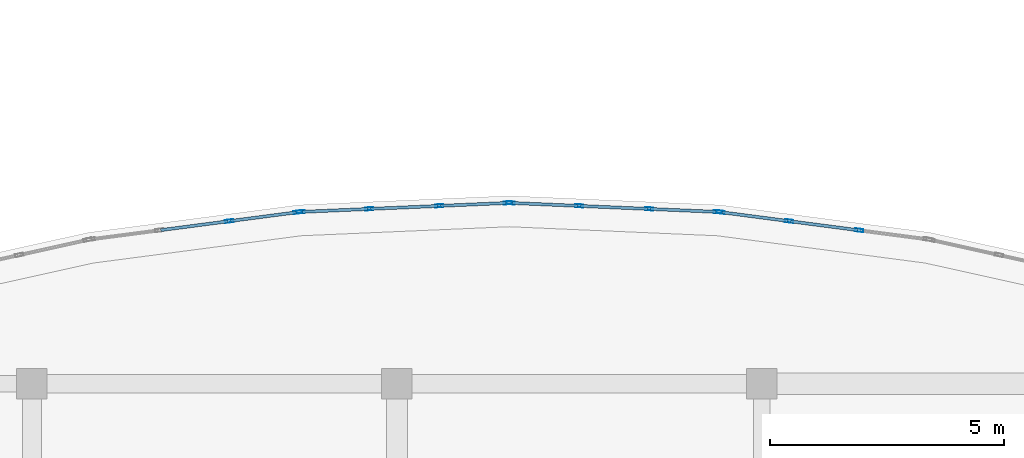
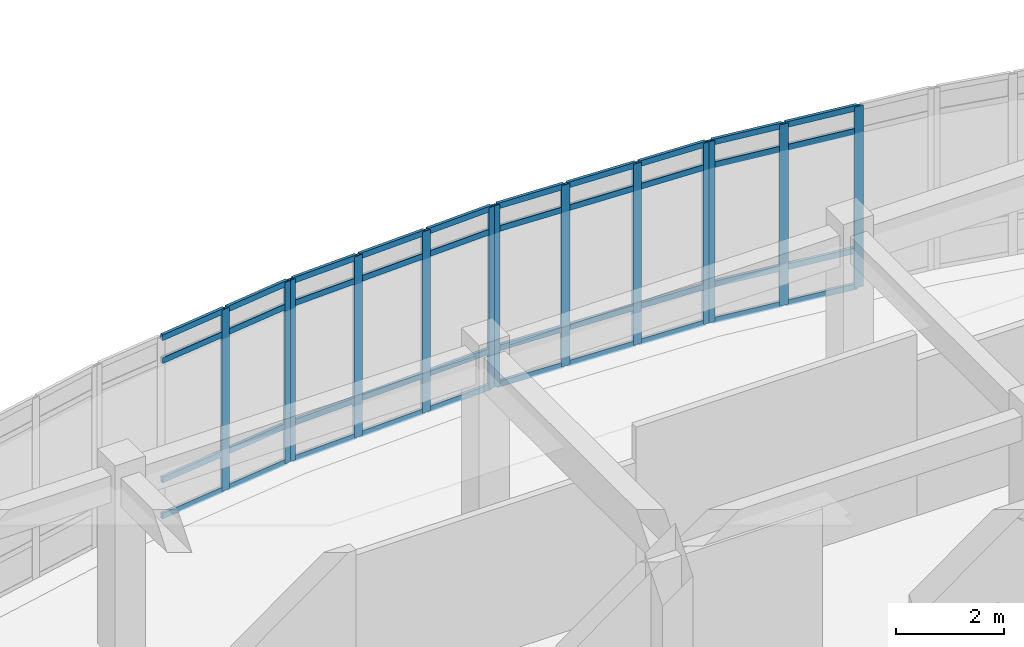
# One storey, part 47 of 142: 53 members, 4 elements without a shape of their own.
"""IFC4 building model written with IfcOpenShell, lengths in metres."""

import ifcopenshell
import ifcopenshell.guid

model = None  # the IFC model being written
_history = None  # IfcOwnerHistory: only IFC2X3 demands one
_inside = {}  # id of a spatial element -> (the spatial element, [elements in it])
_under = {}  # id of a project, library or spatial element -> (it, [spatial elements below it])
_declared = {}  # id of a project -> (the project, [libraries it declares])
_typed = {}  # id of a type object -> (the type object, [elements of that type])
_made_of = {}  # id of a material, layer set ... -> (it, [elements and type objects made of it])


def new_model(schema):
    """Start an empty IFC model of exactly this schema.

    Asked for "IFC4X3", IfcOpenShell would pick the latest addendum, in which some entities
    have other attributes; the version numbers below select the first issue.
    IFC2X3 requires an IfcOwnerHistory on every rooted entity: one is made here for all.
    """
    global model, _history
    if schema == "IFC4X3":
        model = ifcopenshell.file(schema_version=(4, 3, 0, 0))
    else:
        model = ifcopenshell.file(schema=schema)
    _inside.clear()
    _under.clear()
    _declared.clear()
    _typed.clear()
    _made_of.clear()
    _history = None
    if model.schema == "IFC2X3":
        org = make("IfcOrganization", Name="unknown")
        user = make(
            "IfcPersonAndOrganization",
            ThePerson=make("IfcPerson", FamilyName="unknown"),
            TheOrganization=org,
        )
        app = make(
            "IfcApplication",
            ApplicationDeveloper=org,
            Version="unknown",
            ApplicationFullName="unknown",
            ApplicationIdentifier="unknown",
        )
        _history = make(
            "IfcOwnerHistory",
            OwningUser=user,
            OwningApplication=app,
            ChangeAction="ADDED",
            CreationDate=0,
        )
    return model


def make(cls, **values):
    """One entity of the class cls with the attributes given. An attribute that is None is left unset."""
    return model.create_entity(
        cls, **{name: value for name, value in values.items() if value is not None}
    )


def rooted(cls, **values):
    """An entity with a GlobalId (a new one), such as an element, a storey or a relation."""
    return make(cls, GlobalId=ifcopenshell.guid.new(), OwnerHistory=_history, **values)


def si_unit(unit_type, name, prefix=None):
    """IfcSIUnit, for example si_unit("LENGTHUNIT", "METRE", prefix="MILLI")."""
    return make("IfcSIUnit", UnitType=unit_type, Prefix=prefix, Name=name)


def assignment(units):
    """IfcUnitAssignment: the units of a project."""
    return None if units is None else make("IfcUnitAssignment", Units=units)


def point(xyz):
    """IfcCartesianPoint."""
    return None if xyz is None else make("IfcCartesianPoint", Coordinates=xyz)


def direction(xyz):
    """IfcDirection."""
    return None if xyz is None else make("IfcDirection", DirectionRatios=xyz)


def frame(location, z_axis=None, x_axis=None):
    """IfcAxis2Placement3D, a coordinate frame: its origin and axes. An axis left out is left unset."""
    return make(
        "IfcAxis2Placement3D",
        Location=point(location),
        Axis=direction(z_axis),
        RefDirection=direction(x_axis),
    )


def frame_2d(location, x_axis=None):
    """IfcAxis2Placement2D, a coordinate frame in the plane: its origin and x axis."""
    return make(
        "IfcAxis2Placement2D", Location=point(location), RefDirection=direction(x_axis)
    )


def origin():
    """The frame at (0, 0, 0) with its axes left unset."""
    return frame((0.0, 0.0, 0.0))


def origin_2d():
    """The frame at (0, 0) in the plane with its x axis left unset."""
    return frame_2d((0.0, 0.0))


def place(relative_to, where):
    """IfcLocalPlacement: puts the frame where relative to a parent placement (None: the world)."""
    return make(
        "IfcLocalPlacement", PlacementRelTo=relative_to, RelativePlacement=where
    )


def context(
    kind, dimensions, precision=None, world=None, true_north=None, identifier=None
):
    """IfcGeometricRepresentationContext, for example the 3D "Model" context."""
    return make(
        "IfcGeometricRepresentationContext",
        ContextIdentifier=identifier,
        ContextType=kind,
        CoordinateSpaceDimension=dimensions,
        Precision=precision,
        WorldCoordinateSystem=world,
        TrueNorth=true_north,
    )


def subcontext(parent, identifier, kind, view, scale=None):
    """IfcGeometricRepresentationSubContext, for example "Body" below "Model"."""
    return make(
        "IfcGeometricRepresentationSubContext",
        ContextIdentifier=identifier,
        ContextType=kind,
        ParentContext=parent,
        TargetScale=scale,
        TargetView=view,
    )


def project(units=None, contexts=None):
    """IfcProject with its units and contexts."""
    return rooted(
        "IfcProject",
        Name="project",
        RepresentationContexts=contexts,
        UnitsInContext=assignment(units),
    )


def spatial(cls, under=None, at=None, **own):
    """A site, building, storey or space (cls), placed at a placement, below another one or the project."""
    s = rooted(cls, ObjectPlacement=at, **own)
    if under is not None:
        _under.setdefault(under.id(), (under, []))[1].append(s)
    return s


def profile(cls, at=None, kind="AREA", **sizes):
    """A parametric profile (cls). Its sizes go by their IFC names, for example OverallWidth=200.0."""
    return make(cls, ProfileType=kind, Position=at, **sizes)


def hollow_rectangle(**sizes):
    """IfcRectangleHollowProfileDef."""
    return profile("IfcRectangleHollowProfileDef", **sizes)


def extrude(swept, where, along, depth):
    """IfcExtrudedAreaSolid: the profile swept, set in the frame where, extruded along a direction by depth."""
    return make(
        "IfcExtrudedAreaSolid",
        SweptArea=swept,
        Position=where,
        ExtrudedDirection=direction(along),
        Depth=depth,
    )


def shape(context_of_items, identifier, shape_type, items):
    """IfcShapeRepresentation: the items that make up one representation, for example the "Body"."""
    return make(
        "IfcShapeRepresentation",
        ContextOfItems=context_of_items,
        RepresentationIdentifier=identifier,
        RepresentationType=shape_type,
        Items=items,
    )


def material(Name=None, Category=None):
    """IfcMaterial."""
    return make("IfcMaterial", Name=Name, Category=Category)


def layer(
    of_material, thickness, ventilated=None, Name=None, Category=None, Priority=None
):
    """IfcMaterialLayer: one layer of a wall or slab, of a material (None: an air gap)."""
    return make(
        "IfcMaterialLayer",
        Material=of_material,
        LayerThickness=thickness,
        IsVentilated=ventilated,
        Name=Name,
        Category=Category,
        Priority=Priority,
    )


def layer_set(layers, Name=None):
    """IfcMaterialLayerSet."""
    return make("IfcMaterialLayerSet", MaterialLayers=layers, LayerSetName=Name)


def material_profile(
    of_material, cross_section, Name=None, Category=None, Priority=None
):
    """IfcMaterialProfile: a cross section and its material."""
    return make(
        "IfcMaterialProfile",
        Name=Name,
        Material=of_material,
        Profile=cross_section,
        Priority=Priority,
        Category=Category,
    )


def profile_set(profiles, Name=None, composite=None):
    """IfcMaterialProfileSet."""
    return make(
        "IfcMaterialProfileSet",
        Name=Name,
        MaterialProfiles=profiles,
        CompositeProfile=composite,
    )


def made_of(thing, what):
    """Note that an element or type object is made of a material, layer set ...; save() writes the relation."""
    if what is not None:
        _made_of.setdefault(what.id(), (what, []))[1].append(thing)
    return thing


def type_object(cls, material=None, **own):
    """A type object (cls), such as IfcWallType, which elements share."""
    return made_of(rooted(cls, **own), material)


def element(
    cls,
    number,
    at=None,
    inside=None,
    cuts=None,
    type_object=None,
    material=None,
    context=None,
    identifier="Body",
    shape_type=None,
    held_by="IfcProductDefinitionShape",
    body=None,
    shapes=None,
    **own,
):
    """One element of the class cls, such as IfcWall. Its Tag is "e" and its number.

    at: its placement. inside: the storey or other place that contains it. cuts: it is an
    opening in that element (IfcRelVoidsElement). A single representation is given by context,
    identifier, shape_type and body (its items); several are given by shapes. held_by: the class
    of the entity that holds the representations. save() writes the other relations.
    """
    e = rooted(cls, Tag="e%d" % number, ObjectPlacement=at, **own)
    if body is not None:
        shapes = [shape(context, identifier, shape_type, body)]
    if shapes is not None:
        e.Representation = make(held_by, Representations=shapes)
    if inside is not None:
        _inside.setdefault(inside.id(), (inside, []))[1].append(e)
    if cuts is not None:
        rooted(
            "IfcRelVoidsElement", RelatingBuildingElement=cuts, RelatedOpeningElement=e
        )
    if type_object is not None:
        _typed.setdefault(type_object.id(), (type_object, []))[1].append(e)
    return made_of(e, material)


def aggregate(whole, parts):
    """IfcRelAggregates: a whole, such as a stair, and the parts it consists of."""
    return rooted("IfcRelAggregates", RelatingObject=whole, RelatedObjects=parts)


def save(model, path):
    """Write the relations noted so far, then the file.

    IfcRelAggregates (storeys below a building ...), IfcRelContainedInSpatialStructure (elements
    in a storey), IfcRelDefinesByType, IfcRelAssociatesMaterial and IfcRelDeclares: one each for
    every whole, place, type object, material and project.
    """
    for whole, parts in _under.values():
        aggregate(whole, parts)
    for where, things in _inside.values():
        rooted(
            "IfcRelContainedInSpatialStructure",
            RelatedElements=things,
            RelatingStructure=where,
        )
    for kind, things in _typed.values():
        rooted("IfcRelDefinesByType", RelatedObjects=things, RelatingType=kind)
    for what, things in _made_of.values():
        rooted("IfcRelAssociatesMaterial", RelatedObjects=things, RelatingMaterial=what)
    for by, libraries in _declared.values():
        rooted("IfcRelDeclares", RelatingContext=by, RelatedDefinitions=libraries)
    model.write(path)


model = new_model("IFC4")

# Units and contexts
model_context = context("Model", 3, precision=1e-05, world=origin(), true_north=direction((0.0, 1.0)))
body_context = subcontext(model_context, "Body", "Model", "MODEL_VIEW")
ifc_project = project(units=[si_unit("LENGTHUNIT", "METRE"), si_unit("AREAUNIT", "SQUARE_METRE"), si_unit("VOLUMEUNIT", "CUBIC_METRE"), si_unit("PLANEANGLEUNIT", "RADIAN"), si_unit("MASSUNIT", "GRAM", prefix="KILO")], contexts=[model_context])

# Site, building, storey
site_placement = place(None, origin())
site = spatial("IfcSite", under=ifc_project, at=site_placement, CompositionType="ELEMENT")
building_placement = place(site_placement, origin())
building = spatial("IfcBuilding", under=site, at=building_placement, Name="Valcora Specialist Clinic", CompositionType="ELEMENT")
storey_placement = place(building_placement, frame((0.0, 0.0, 5.10009765625)))
storey = spatial("IfcBuildingStorey", under=building, at=storey_placement, Name="L01", CompositionType="ELEMENT", Elevation=5.10009765625)

# Curtain wall, members
ifc_material = material(Name="Anodized Bronze Aluminium 6063-T6", Category="aluminium")
ifc_layer = layer(ifc_material, 0.175048828125)
ifc_layer_set = layer_set([ifc_layer], Name="Anodized Bronze Aluminium 6063-T6")
curtain_wall_type = type_object("IfcCurtainWallType", Name="TY-CW-ARC44", PredefinedType="NOTDEFINED", material=ifc_layer_set)
curtain_wall_1_placement = place(storey_placement, origin())
curtain_wall_1 = element("IfcCurtainWall", 1, at=curtain_wall_1_placement, inside=storey, type_object=curtain_wall_type, Name="Curtain wall CW-L01-196", PredefinedType="NOTDEFINED")
ifc_material_profile_1 = material_profile(ifc_material, hollow_rectangle(XDim=0.06494140625, YDim=0.175048828125, WallThickness=0.00390625, at=origin_2d()), Name="AL-MUL-65X175")
ifc_profile_set_1 = profile_set([ifc_material_profile_1], Name="Anodized Bronze Aluminium 6063-T6")
member_type_1 = type_object("IfcMemberType", Name="TY-CWM-65X175", PredefinedType="MULLION", material=ifc_profile_set_1)
member_1_placement = place(storey_placement, frame((81.017333984375, 25.474365234375, 0.0), z_axis=(0.0, 0.0, 1.0), x_axis=(-0.129999492259, 0.991514060421, 0.0)))
member_1 = element("IfcMember", 2, at=member_1_placement, type_object=member_type_1, Name="CW-ARC-44 mullion 3", PredefinedType="MULLION", context=body_context, shape_type="SweptSolid", body=[
    extrude(hollow_rectangle(XDim=0.06494140625, YDim=0.175048828125, WallThickness=0.00390625, at=origin_2d()), origin(), (0.0, 0.0, 1.0), 4.10498046875),
])
member_2_placement = place(storey_placement, frame((82.480712890625, 25.666259765625, 0.0), z_axis=(0.0, 0.0, 1.0), x_axis=(-0.129999492259, 0.991514060421, 0.0)))
member_2 = element("IfcMember", 3, at=member_2_placement, type_object=member_type_1, Name="CW-ARC-44 mullion 4", PredefinedType="MULLION", context=body_context, shape_type="SweptSolid", body=[
    extrude(hollow_rectangle(XDim=0.06494140625, YDim=0.175048828125, WallThickness=0.00390625, at=origin_2d()), origin(), (0.0, 0.0, 1.0), 4.10498046875),
])

curtain_wall_2_placement = place(storey_placement, origin())
curtain_wall_2 = element("IfcCurtainWall", 4, at=curtain_wall_2_placement, inside=storey, type_object=curtain_wall_type, Name="Curtain wall CW-L01-197", PredefinedType="NOTDEFINED")
member_3_placement = place(storey_placement, frame((82.54541015625, 25.671875, 0.0), z_axis=(0.0, 0.0, 1.0), x_axis=(-0.043306780525, 0.999061821291, 0.0)))
member_3 = element("IfcMember", 5, at=member_3_placement, type_object=member_type_1, Name="CW-ARC-44 mullion 1", PredefinedType="MULLION", context=body_context, shape_type="SweptSolid", body=[
    extrude(hollow_rectangle(XDim=0.06494140625, YDim=0.175048828125, WallThickness=0.00390625, at=origin_2d()), origin(), (0.0, 0.0, 1.0), 4.10498046875),
])
member_4_placement = place(storey_placement, frame((84.008544921875, 25.7353515625, 0.0), z_axis=(0.0, 0.0, 1.0), x_axis=(-0.043306780525, 0.999061821291, 0.0)))
member_4 = element("IfcMember", 6, at=member_4_placement, type_object=member_type_1, Name="CW-ARC-44 mullion 2", PredefinedType="MULLION", context=body_context, shape_type="SweptSolid", body=[
    extrude(hollow_rectangle(XDim=0.06494140625, YDim=0.175048828125, WallThickness=0.00390625, at=origin_2d()), origin(), (0.0, 0.0, 1.0), 4.10498046875),
])
member_5_placement = place(storey_placement, frame((85.50439453125, 25.800048828125, 0.0), z_axis=(0.0, 0.0, 1.0), x_axis=(-0.043306780525, 0.999061821291, 0.0)))
member_5 = element("IfcMember", 7, at=member_5_placement, type_object=member_type_1, Name="CW-ARC-44 mullion 3", PredefinedType="MULLION", context=body_context, shape_type="SweptSolid", body=[
    extrude(hollow_rectangle(XDim=0.06494140625, YDim=0.175048828125, WallThickness=0.00390625, at=origin_2d()), origin(), (0.0, 0.0, 1.0), 4.10498046875),
])
member_6_placement = place(storey_placement, frame((86.967529296875, 25.863525390625, 0.0), z_axis=(0.0, 0.0, 1.0), x_axis=(-0.043306780525, 0.999061821291, 0.0)))
member_6 = element("IfcMember", 8, at=member_6_placement, type_object=member_type_1, Name="CW-ARC-44 mullion 4", PredefinedType="MULLION", context=body_context, shape_type="SweptSolid", body=[
    extrude(hollow_rectangle(XDim=0.06494140625, YDim=0.175048828125, WallThickness=0.00390625, at=origin_2d()), origin(), (0.0, 0.0, 1.0), 4.10498046875),
])

curtain_wall_3_placement = place(storey_placement, origin())
curtain_wall_3 = element("IfcCurtainWall", 9, at=curtain_wall_3_placement, inside=storey, type_object=curtain_wall_type, Name="Curtain wall CW-L01-198", PredefinedType="NOTDEFINED")
member_7_placement = place(storey_placement, frame((87.032470703125, 25.863525390625, 0.0), z_axis=(0.0, 0.0, 1.0), x_axis=(0.043306780525, 0.999061821291, 0.0)))
member_7 = element("IfcMember", 10, at=member_7_placement, type_object=member_type_1, Name="CW-ARC-44 mullion 1", PredefinedType="MULLION", context=body_context, shape_type="SweptSolid", body=[
    extrude(hollow_rectangle(XDim=0.06494140625, YDim=0.175048828125, WallThickness=0.00390625, at=origin_2d()), origin(), (0.0, 0.0, 1.0), 4.10498046875),
])
member_8_placement = place(storey_placement, frame((88.49560546875, 25.800048828125, 0.0), z_axis=(0.0, 0.0, 1.0), x_axis=(0.043306780525, 0.999061821291, 0.0)))
member_8 = element("IfcMember", 11, at=member_8_placement, type_object=member_type_1, Name="CW-ARC-44 mullion 2", PredefinedType="MULLION", context=body_context, shape_type="SweptSolid", body=[
    extrude(hollow_rectangle(XDim=0.06494140625, YDim=0.175048828125, WallThickness=0.00390625, at=origin_2d()), origin(), (0.0, 0.0, 1.0), 4.10498046875),
])
member_9_placement = place(storey_placement, frame((89.991455078125, 25.7353515625, 0.0), z_axis=(0.0, 0.0, 1.0), x_axis=(0.043306780525, 0.999061821291, 0.0)))
member_9 = element("IfcMember", 12, at=member_9_placement, type_object=member_type_1, Name="CW-ARC-44 mullion 3", PredefinedType="MULLION", context=body_context, shape_type="SweptSolid", body=[
    extrude(hollow_rectangle(XDim=0.06494140625, YDim=0.175048828125, WallThickness=0.00390625, at=origin_2d()), origin(), (0.0, 0.0, 1.0), 4.10498046875),
])
member_10_placement = place(storey_placement, frame((91.45458984375, 25.671875, 0.0), z_axis=(0.0, 0.0, 1.0), x_axis=(0.043306780525, 0.999061821291, 0.0)))
member_10 = element("IfcMember", 13, at=member_10_placement, type_object=member_type_1, Name="CW-ARC-44 mullion 4", PredefinedType="MULLION", context=body_context, shape_type="SweptSolid", body=[
    extrude(hollow_rectangle(XDim=0.06494140625, YDim=0.175048828125, WallThickness=0.00390625, at=origin_2d()), origin(), (0.0, 0.0, 1.0), 4.10498046875),
])

curtain_wall_4_placement = place(storey_placement, origin())
curtain_wall_4 = element("IfcCurtainWall", 14, at=curtain_wall_4_placement, inside=storey, type_object=curtain_wall_type, Name="Curtain wall CW-L01-199", PredefinedType="NOTDEFINED")
member_11_placement = place(storey_placement, frame((91.519287109375, 25.666259765625, 0.0), z_axis=(0.0, 0.0, 1.0), x_axis=(0.129999492259, 0.991514060421, 0.0)))
member_11 = element("IfcMember", 15, at=member_11_placement, type_object=member_type_1, Name="CW-ARC-44 mullion 1", PredefinedType="MULLION", context=body_context, shape_type="SweptSolid", body=[
    extrude(hollow_rectangle(XDim=0.06494140625, YDim=0.175048828125, WallThickness=0.00390625, at=origin_2d()), origin(), (0.0, 0.0, 1.0), 4.10498046875),
])
member_12_placement = place(storey_placement, frame((92.982666015625, 25.474365234375, 0.0), z_axis=(0.0, 0.0, 1.0), x_axis=(0.129999492259, 0.991514060421, 0.0)))
member_12 = element("IfcMember", 16, at=member_12_placement, type_object=member_type_1, Name="CW-ARC-44 mullion 2", PredefinedType="MULLION", context=body_context, shape_type="SweptSolid", body=[
    extrude(hollow_rectangle(XDim=0.06494140625, YDim=0.175048828125, WallThickness=0.00390625, at=origin_2d()), origin(), (0.0, 0.0, 1.0), 4.10498046875),
])
member_13_placement = place(storey_placement, frame((94.478271484375, 25.2783203125, 0.0), z_axis=(0.0, 0.0, 1.0), x_axis=(0.129999492259, 0.991514060421, 0.0)))
member_13 = element("IfcMember", 17, at=member_13_placement, type_object=member_type_1, Name="CW-ARC-44 mullion 3", PredefinedType="MULLION", context=body_context, shape_type="SweptSolid", body=[
    extrude(hollow_rectangle(XDim=0.06494140625, YDim=0.175048828125, WallThickness=0.00390625, at=origin_2d()), origin(), (0.0, 0.0, 1.0), 4.10498046875),
])

# Member
ifc_material_profile_2 = material_profile(ifc_material, hollow_rectangle(XDim=0.06494140625, YDim=0.1298828125, WallThickness=0.00390625, at=origin_2d()), Name="AL-TRN-65X130")
ifc_profile_set_2 = profile_set([ifc_material_profile_2], Name="Anodized Bronze Aluminium 6063-T6")
member_type_2 = type_object("IfcMemberType", Name="TY-CWT-65X130", PredefinedType="USERDEFINED", material=ifc_profile_set_2)
member_14_placement = place(storey_placement, frame((79.553955078125, 25.282470703125, 0.032470703125), z_axis=(0.99152668223, 0.129903188665, 0.0), x_axis=(-0.129903188665, 0.99152668223, 0.0)))
member_14 = element("IfcMember", 18, at=member_14_placement, type_object=member_type_2, Name="CW-ARC-44 transom 2.1", ObjectType="TRANSOM", PredefinedType="USERDEFINED", context=body_context, shape_type="SweptSolid", body=[
    extrude(hollow_rectangle(XDim=0.06494140625, YDim=0.1298828125, WallThickness=0.00390625, at=origin_2d()), origin(), (0.0, 0.0, 1.0), 1.443359375),
])

member_15_placement = place(storey_placement, frame((79.553955078125, 25.282470703125, 0.849853515625), z_axis=(0.99152668223, 0.129903188665, 0.0), x_axis=(-0.129903188665, 0.99152668223, 0.0)))
member_15 = element("IfcMember", 19, at=member_15_placement, type_object=member_type_2, Name="CW-ARC-44 transom 2.2", ObjectType="TRANSOM", PredefinedType="USERDEFINED", context=body_context, shape_type="SweptSolid", body=[
    extrude(hollow_rectangle(XDim=0.06494140625, YDim=0.1298828125, WallThickness=0.00390625, at=origin_2d()), origin(), (0.0, 0.0, 1.0), 1.443359375),
])

member_16_placement = place(storey_placement, frame((79.553955078125, 25.282470703125, 3.554931640625), z_axis=(0.99152668223, 0.129903188665, 0.0), x_axis=(-0.129903188665, 0.99152668223, 0.0)))
member_16 = element("IfcMember", 20, at=member_16_placement, type_object=member_type_2, Name="CW-ARC-44 transom 2.3", ObjectType="TRANSOM", PredefinedType="USERDEFINED", context=body_context, shape_type="SweptSolid", body=[
    extrude(hollow_rectangle(XDim=0.06494140625, YDim=0.1298828125, WallThickness=0.00390625, at=origin_2d()), origin(), (0.0, 0.0, 1.0), 1.443359375),
])

member_17_placement = place(storey_placement, frame((79.553955078125, 25.282470703125, 4.072509765625), z_axis=(0.99152668223, 0.129903188665, 0.0), x_axis=(-0.129903188665, 0.99152668223, 0.0)))
member_17 = element("IfcMember", 21, at=member_17_placement, type_object=member_type_2, Name="CW-ARC-44 transom 2.4", ObjectType="TRANSOM", PredefinedType="USERDEFINED", context=body_context, shape_type="SweptSolid", body=[
    extrude(hollow_rectangle(XDim=0.06494140625, YDim=0.1298828125, WallThickness=0.00390625, at=origin_2d()), origin(), (0.0, 0.0, 1.0), 1.443359375),
])

member_18_placement = place(storey_placement, frame((81.049560546875, 25.478515625, 0.032470703125), z_axis=(0.991520133728, 0.129953162379, 0.0), x_axis=(-0.129953162379, 0.991520133728, 0.0)))
member_18 = element("IfcMember", 22, at=member_18_placement, type_object=member_type_2, Name="CW-ARC-44 transom 3.1", ObjectType="TRANSOM", PredefinedType="USERDEFINED", context=body_context, shape_type="SweptSolid", body=[
    extrude(hollow_rectangle(XDim=0.06494140625, YDim=0.1298828125, WallThickness=0.00390625, at=origin_2d()), origin(), (0.0, 0.0, 1.0), 1.410888671875),
])

member_19_placement = place(storey_placement, frame((81.049560546875, 25.478515625, 0.849853515625), z_axis=(0.991520133728, 0.129953162379, 0.0), x_axis=(-0.129953162379, 0.991520133728, 0.0)))
member_19 = element("IfcMember", 23, at=member_19_placement, type_object=member_type_2, Name="CW-ARC-44 transom 3.2", ObjectType="TRANSOM", PredefinedType="USERDEFINED", context=body_context, shape_type="SweptSolid", body=[
    extrude(hollow_rectangle(XDim=0.06494140625, YDim=0.1298828125, WallThickness=0.00390625, at=origin_2d()), origin(), (0.0, 0.0, 1.0), 1.410888671875),
])

member_20_placement = place(storey_placement, frame((81.049560546875, 25.478515625, 3.554931640625), z_axis=(0.991520133728, 0.129953162379, 0.0), x_axis=(-0.129953162379, 0.991520133728, 0.0)))
member_20 = element("IfcMember", 24, at=member_20_placement, type_object=member_type_2, Name="CW-ARC-44 transom 3.3", ObjectType="TRANSOM", PredefinedType="USERDEFINED", context=body_context, shape_type="SweptSolid", body=[
    extrude(hollow_rectangle(XDim=0.06494140625, YDim=0.1298828125, WallThickness=0.00390625, at=origin_2d()), origin(), (0.0, 0.0, 1.0), 1.410888671875),
])

member_21_placement = place(storey_placement, frame((81.049560546875, 25.478515625, 4.072509765625), z_axis=(0.991520133728, 0.129953162379, 0.0), x_axis=(-0.129953162379, 0.991520133728, 0.0)))
member_21 = element("IfcMember", 25, at=member_21_placement, type_object=member_type_2, Name="CW-ARC-44 transom 3.4", ObjectType="TRANSOM", PredefinedType="USERDEFINED", context=body_context, shape_type="SweptSolid", body=[
    extrude(hollow_rectangle(XDim=0.06494140625, YDim=0.1298828125, WallThickness=0.00390625, at=origin_2d()), origin(), (0.0, 0.0, 1.0), 1.410888671875),
])

aggregate(curtain_wall_1, [member_1, member_2, member_14, member_15, member_16, member_17, member_18, member_19, member_20, member_21])

member_22_placement = place(storey_placement, frame((82.577880859375, 25.673095703125, 0.032470703125), z_axis=(0.999056487414, 0.043429655266, 0.0), x_axis=(-0.043429655266, 0.999056487414, 0.0)))
member_22 = element("IfcMember", 26, at=member_22_placement, type_object=member_type_2, Name="CW-ARC-44 transom 1.1", ObjectType="TRANSOM", PredefinedType="USERDEFINED", context=body_context, shape_type="SweptSolid", body=[
    extrude(hollow_rectangle(XDim=0.06494140625, YDim=0.1298828125, WallThickness=0.00390625, at=origin_2d()), origin(), (0.0, 0.0, 1.0), 1.399658203125),
])

member_23_placement = place(storey_placement, frame((82.577880859375, 25.673095703125, 0.849853515625), z_axis=(0.999056487414, 0.043429655266, 0.0), x_axis=(-0.043429655266, 0.999056487414, 0.0)))
member_23 = element("IfcMember", 27, at=member_23_placement, type_object=member_type_2, Name="CW-ARC-44 transom 1.2", ObjectType="TRANSOM", PredefinedType="USERDEFINED", context=body_context, shape_type="SweptSolid", body=[
    extrude(hollow_rectangle(XDim=0.06494140625, YDim=0.1298828125, WallThickness=0.00390625, at=origin_2d()), origin(), (0.0, 0.0, 1.0), 1.399658203125),
])

member_24_placement = place(storey_placement, frame((82.577880859375, 25.673095703125, 3.554931640625), z_axis=(0.999056487414, 0.043429655266, 0.0), x_axis=(-0.043429655266, 0.999056487414, 0.0)))
member_24 = element("IfcMember", 28, at=member_24_placement, type_object=member_type_2, Name="CW-ARC-44 transom 1.3", ObjectType="TRANSOM", PredefinedType="USERDEFINED", context=body_context, shape_type="SweptSolid", body=[
    extrude(hollow_rectangle(XDim=0.06494140625, YDim=0.1298828125, WallThickness=0.00390625, at=origin_2d()), origin(), (0.0, 0.0, 1.0), 1.399658203125),
])

member_25_placement = place(storey_placement, frame((82.577880859375, 25.673095703125, 4.072509765625), z_axis=(0.999056487414, 0.043429655266, 0.0), x_axis=(-0.043429655266, 0.999056487414, 0.0)))
member_25 = element("IfcMember", 29, at=member_25_placement, type_object=member_type_2, Name="CW-ARC-44 transom 1.4", ObjectType="TRANSOM", PredefinedType="USERDEFINED", context=body_context, shape_type="SweptSolid", body=[
    extrude(hollow_rectangle(XDim=0.06494140625, YDim=0.1298828125, WallThickness=0.00390625, at=origin_2d()), origin(), (0.0, 0.0, 1.0), 1.399658203125),
])

member_26_placement = place(storey_placement, frame((84.041015625, 25.736572265625, 0.032470703125), z_axis=(0.999062259276, 0.043296675287, 0.0), x_axis=(-0.043296675287, 0.999062259276, 0.0)))
member_26 = element("IfcMember", 30, at=member_26_placement, type_object=member_type_2, Name="CW-ARC-44 transom 2.1", ObjectType="TRANSOM", PredefinedType="USERDEFINED", context=body_context, shape_type="SweptSolid", body=[
    extrude(hollow_rectangle(XDim=0.06494140625, YDim=0.1298828125, WallThickness=0.00390625, at=origin_2d()), origin(), (0.0, 0.0, 1.0), 1.432373046875),
])

member_27_placement = place(storey_placement, frame((84.041015625, 25.736572265625, 0.849853515625), z_axis=(0.999062259276, 0.043296675287, 0.0), x_axis=(-0.043296675287, 0.999062259276, 0.0)))
member_27 = element("IfcMember", 31, at=member_27_placement, type_object=member_type_2, Name="CW-ARC-44 transom 2.2", ObjectType="TRANSOM", PredefinedType="USERDEFINED", context=body_context, shape_type="SweptSolid", body=[
    extrude(hollow_rectangle(XDim=0.06494140625, YDim=0.1298828125, WallThickness=0.00390625, at=origin_2d()), origin(), (0.0, 0.0, 1.0), 1.432373046875),
])

member_28_placement = place(storey_placement, frame((84.041015625, 25.736572265625, 3.554931640625), z_axis=(0.999062259276, 0.043296675287, 0.0), x_axis=(-0.043296675287, 0.999062259276, 0.0)))
member_28 = element("IfcMember", 32, at=member_28_placement, type_object=member_type_2, Name="CW-ARC-44 transom 2.3", ObjectType="TRANSOM", PredefinedType="USERDEFINED", context=body_context, shape_type="SweptSolid", body=[
    extrude(hollow_rectangle(XDim=0.06494140625, YDim=0.1298828125, WallThickness=0.00390625, at=origin_2d()), origin(), (0.0, 0.0, 1.0), 1.432373046875),
])

member_29_placement = place(storey_placement, frame((84.041015625, 25.736572265625, 4.072509765625), z_axis=(0.999062259276, 0.043296675287, 0.0), x_axis=(-0.043296675287, 0.999062259276, 0.0)))
member_29 = element("IfcMember", 33, at=member_29_placement, type_object=member_type_2, Name="CW-ARC-44 transom 2.4", ObjectType="TRANSOM", PredefinedType="USERDEFINED", context=body_context, shape_type="SweptSolid", body=[
    extrude(hollow_rectangle(XDim=0.06494140625, YDim=0.1298828125, WallThickness=0.00390625, at=origin_2d()), origin(), (0.0, 0.0, 1.0), 1.432373046875),
])

member_30_placement = place(storey_placement, frame((85.536865234375, 25.801513671875, 0.032470703125), z_axis=(0.999063713567, 0.043263104761, 0.0), x_axis=(-0.043263104761, 0.999063713567, 0.0)))
member_30 = element("IfcMember", 34, at=member_30_placement, type_object=member_type_2, Name="CW-ARC-44 transom 3.1", ObjectType="TRANSOM", PredefinedType="USERDEFINED", context=body_context, shape_type="SweptSolid", body=[
    extrude(hollow_rectangle(XDim=0.06494140625, YDim=0.1298828125, WallThickness=0.00390625, at=origin_2d()), origin(), (0.0, 0.0, 1.0), 1.3994140625),
])

member_31_placement = place(storey_placement, frame((85.536865234375, 25.801513671875, 0.849853515625), z_axis=(0.999063713567, 0.043263104761, 0.0), x_axis=(-0.043263104761, 0.999063713567, 0.0)))
member_31 = element("IfcMember", 35, at=member_31_placement, type_object=member_type_2, Name="CW-ARC-44 transom 3.2", ObjectType="TRANSOM", PredefinedType="USERDEFINED", context=body_context, shape_type="SweptSolid", body=[
    extrude(hollow_rectangle(XDim=0.06494140625, YDim=0.1298828125, WallThickness=0.00390625, at=origin_2d()), origin(), (0.0, 0.0, 1.0), 1.3994140625),
])

member_32_placement = place(storey_placement, frame((85.536865234375, 25.801513671875, 3.554931640625), z_axis=(0.999063713567, 0.043263104761, 0.0), x_axis=(-0.043263104761, 0.999063713567, 0.0)))
member_32 = element("IfcMember", 36, at=member_32_placement, type_object=member_type_2, Name="CW-ARC-44 transom 3.3", ObjectType="TRANSOM", PredefinedType="USERDEFINED", context=body_context, shape_type="SweptSolid", body=[
    extrude(hollow_rectangle(XDim=0.06494140625, YDim=0.1298828125, WallThickness=0.00390625, at=origin_2d()), origin(), (0.0, 0.0, 1.0), 1.3994140625),
])

member_33_placement = place(storey_placement, frame((85.536865234375, 25.801513671875, 4.072509765625), z_axis=(0.999063713567, 0.043263104761, 0.0), x_axis=(-0.043263104761, 0.999063713567, 0.0)))
member_33 = element("IfcMember", 37, at=member_33_placement, type_object=member_type_2, Name="CW-ARC-44 transom 3.4", ObjectType="TRANSOM", PredefinedType="USERDEFINED", context=body_context, shape_type="SweptSolid", body=[
    extrude(hollow_rectangle(XDim=0.06494140625, YDim=0.1298828125, WallThickness=0.00390625, at=origin_2d()), origin(), (0.0, 0.0, 1.0), 1.3994140625),
])

aggregate(curtain_wall_2, [member_3, member_4, member_5, member_6, member_22, member_23, member_24, member_25, member_26, member_27, member_28, member_29, member_30, member_31, member_32, member_33])

member_34_placement = place(storey_placement, frame((87.06494140625, 25.862060546875, 0.032470703125), z_axis=(0.999063713567, -0.043263104761, 0.0), x_axis=(0.043263104761, 0.999063713567, 0.0)))
member_34 = element("IfcMember", 38, at=member_34_placement, type_object=member_type_2, Name="CW-ARC-44 transom 1.1", ObjectType="TRANSOM", PredefinedType="USERDEFINED", context=body_context, shape_type="SweptSolid", body=[
    extrude(hollow_rectangle(XDim=0.06494140625, YDim=0.1298828125, WallThickness=0.00390625, at=origin_2d()), origin(), (0.0, 0.0, 1.0), 1.3994140625),
])

member_35_placement = place(storey_placement, frame((87.06494140625, 25.862060546875, 0.849853515625), z_axis=(0.999063713567, -0.043263104761, 0.0), x_axis=(0.043263104761, 0.999063713567, 0.0)))
member_35 = element("IfcMember", 39, at=member_35_placement, type_object=member_type_2, Name="CW-ARC-44 transom 1.2", ObjectType="TRANSOM", PredefinedType="USERDEFINED", context=body_context, shape_type="SweptSolid", body=[
    extrude(hollow_rectangle(XDim=0.06494140625, YDim=0.1298828125, WallThickness=0.00390625, at=origin_2d()), origin(), (0.0, 0.0, 1.0), 1.3994140625),
])

member_36_placement = place(storey_placement, frame((87.06494140625, 25.862060546875, 3.554931640625), z_axis=(0.999063713567, -0.043263104761, 0.0), x_axis=(0.043263104761, 0.999063713567, 0.0)))
member_36 = element("IfcMember", 40, at=member_36_placement, type_object=member_type_2, Name="CW-ARC-44 transom 1.3", ObjectType="TRANSOM", PredefinedType="USERDEFINED", context=body_context, shape_type="SweptSolid", body=[
    extrude(hollow_rectangle(XDim=0.06494140625, YDim=0.1298828125, WallThickness=0.00390625, at=origin_2d()), origin(), (0.0, 0.0, 1.0), 1.3994140625),
])

member_37_placement = place(storey_placement, frame((87.06494140625, 25.862060546875, 4.072509765625), z_axis=(0.999063713567, -0.043263104761, 0.0), x_axis=(0.043263104761, 0.999063713567, 0.0)))
member_37 = element("IfcMember", 41, at=member_37_placement, type_object=member_type_2, Name="CW-ARC-44 transom 1.4", ObjectType="TRANSOM", PredefinedType="USERDEFINED", context=body_context, shape_type="SweptSolid", body=[
    extrude(hollow_rectangle(XDim=0.06494140625, YDim=0.1298828125, WallThickness=0.00390625, at=origin_2d()), origin(), (0.0, 0.0, 1.0), 1.3994140625),
])

member_38_placement = place(storey_placement, frame((88.528076171875, 25.798583984375, 0.032470703125), z_axis=(0.999062259276, -0.043296675287, 0.0), x_axis=(0.043296675287, 0.999062259276, 0.0)))
member_38 = element("IfcMember", 42, at=member_38_placement, type_object=member_type_2, Name="CW-ARC-44 transom 2.1", ObjectType="TRANSOM", PredefinedType="USERDEFINED", context=body_context, shape_type="SweptSolid", body=[
    extrude(hollow_rectangle(XDim=0.06494140625, YDim=0.1298828125, WallThickness=0.00390625, at=origin_2d()), origin(), (0.0, 0.0, 1.0), 1.432373046875),
])

member_39_placement = place(storey_placement, frame((88.528076171875, 25.798583984375, 0.849853515625), z_axis=(0.999062259276, -0.043296675287, 0.0), x_axis=(0.043296675287, 0.999062259276, 0.0)))
member_39 = element("IfcMember", 43, at=member_39_placement, type_object=member_type_2, Name="CW-ARC-44 transom 2.2", ObjectType="TRANSOM", PredefinedType="USERDEFINED", context=body_context, shape_type="SweptSolid", body=[
    extrude(hollow_rectangle(XDim=0.06494140625, YDim=0.1298828125, WallThickness=0.00390625, at=origin_2d()), origin(), (0.0, 0.0, 1.0), 1.432373046875),
])

member_40_placement = place(storey_placement, frame((88.528076171875, 25.798583984375, 3.554931640625), z_axis=(0.999062259276, -0.043296675287, 0.0), x_axis=(0.043296675287, 0.999062259276, 0.0)))
member_40 = element("IfcMember", 44, at=member_40_placement, type_object=member_type_2, Name="CW-ARC-44 transom 2.3", ObjectType="TRANSOM", PredefinedType="USERDEFINED", context=body_context, shape_type="SweptSolid", body=[
    extrude(hollow_rectangle(XDim=0.06494140625, YDim=0.1298828125, WallThickness=0.00390625, at=origin_2d()), origin(), (0.0, 0.0, 1.0), 1.432373046875),
])

member_41_placement = place(storey_placement, frame((88.528076171875, 25.798583984375, 4.072509765625), z_axis=(0.999062259276, -0.043296675287, 0.0), x_axis=(0.043296675287, 0.999062259276, 0.0)))
member_41 = element("IfcMember", 45, at=member_41_placement, type_object=member_type_2, Name="CW-ARC-44 transom 2.4", ObjectType="TRANSOM", PredefinedType="USERDEFINED", context=body_context, shape_type="SweptSolid", body=[
    extrude(hollow_rectangle(XDim=0.06494140625, YDim=0.1298828125, WallThickness=0.00390625, at=origin_2d()), origin(), (0.0, 0.0, 1.0), 1.432373046875),
])

member_42_placement = place(storey_placement, frame((90.023681640625, 25.73388671875, 0.032470703125), z_axis=(0.999056487414, -0.043429655266, 0.0), x_axis=(0.043429655266, 0.999056487414, 0.0)))
member_42 = element("IfcMember", 46, at=member_42_placement, type_object=member_type_2, Name="CW-ARC-44 transom 3.1", ObjectType="TRANSOM", PredefinedType="USERDEFINED", context=body_context, shape_type="SweptSolid", body=[
    extrude(hollow_rectangle(XDim=0.06494140625, YDim=0.1298828125, WallThickness=0.00390625, at=origin_2d()), origin(), (0.0, 0.0, 1.0), 1.399658203125),
])

member_43_placement = place(storey_placement, frame((90.023681640625, 25.73388671875, 0.849853515625), z_axis=(0.999056487414, -0.043429655266, 0.0), x_axis=(0.043429655266, 0.999056487414, 0.0)))
member_43 = element("IfcMember", 47, at=member_43_placement, type_object=member_type_2, Name="CW-ARC-44 transom 3.2", ObjectType="TRANSOM", PredefinedType="USERDEFINED", context=body_context, shape_type="SweptSolid", body=[
    extrude(hollow_rectangle(XDim=0.06494140625, YDim=0.1298828125, WallThickness=0.00390625, at=origin_2d()), origin(), (0.0, 0.0, 1.0), 1.399658203125),
])

member_44_placement = place(storey_placement, frame((90.023681640625, 25.73388671875, 3.554931640625), z_axis=(0.999056487414, -0.043429655266, 0.0), x_axis=(0.043429655266, 0.999056487414, 0.0)))
member_44 = element("IfcMember", 48, at=member_44_placement, type_object=member_type_2, Name="CW-ARC-44 transom 3.3", ObjectType="TRANSOM", PredefinedType="USERDEFINED", context=body_context, shape_type="SweptSolid", body=[
    extrude(hollow_rectangle(XDim=0.06494140625, YDim=0.1298828125, WallThickness=0.00390625, at=origin_2d()), origin(), (0.0, 0.0, 1.0), 1.399658203125),
])

member_45_placement = place(storey_placement, frame((90.023681640625, 25.73388671875, 4.072509765625), z_axis=(0.999056487414, -0.043429655266, 0.0), x_axis=(0.043429655266, 0.999056487414, 0.0)))
member_45 = element("IfcMember", 49, at=member_45_placement, type_object=member_type_2, Name="CW-ARC-44 transom 3.4", ObjectType="TRANSOM", PredefinedType="USERDEFINED", context=body_context, shape_type="SweptSolid", body=[
    extrude(hollow_rectangle(XDim=0.06494140625, YDim=0.1298828125, WallThickness=0.00390625, at=origin_2d()), origin(), (0.0, 0.0, 1.0), 1.399658203125),
])

aggregate(curtain_wall_3, [member_7, member_8, member_9, member_10, member_34, member_35, member_36, member_37, member_38, member_39, member_40, member_41, member_42, member_43, member_44, member_45])

member_46_placement = place(storey_placement, frame((91.551513671875, 25.661865234375, 0.032470703125), z_axis=(0.991520133728, -0.129953162379, 0.0), x_axis=(0.129953162379, 0.991520133728, 0.0)))
member_46 = element("IfcMember", 50, at=member_46_placement, type_object=member_type_2, Name="CW-ARC-44 transom 1.1", ObjectType="TRANSOM", PredefinedType="USERDEFINED", context=body_context, shape_type="SweptSolid", body=[
    extrude(hollow_rectangle(XDim=0.06494140625, YDim=0.1298828125, WallThickness=0.00390625, at=origin_2d()), origin(), (0.0, 0.0, 1.0), 1.410888671875),
])

member_47_placement = place(storey_placement, frame((91.551513671875, 25.661865234375, 0.849853515625), z_axis=(0.991520133728, -0.129953162379, 0.0), x_axis=(0.129953162379, 0.991520133728, 0.0)))
member_47 = element("IfcMember", 51, at=member_47_placement, type_object=member_type_2, Name="CW-ARC-44 transom 1.2", ObjectType="TRANSOM", PredefinedType="USERDEFINED", context=body_context, shape_type="SweptSolid", body=[
    extrude(hollow_rectangle(XDim=0.06494140625, YDim=0.1298828125, WallThickness=0.00390625, at=origin_2d()), origin(), (0.0, 0.0, 1.0), 1.410888671875),
])

member_48_placement = place(storey_placement, frame((91.551513671875, 25.661865234375, 3.554931640625), z_axis=(0.991520133728, -0.129953162379, 0.0), x_axis=(0.129953162379, 0.991520133728, 0.0)))
member_48 = element("IfcMember", 52, at=member_48_placement, type_object=member_type_2, Name="CW-ARC-44 transom 1.3", ObjectType="TRANSOM", PredefinedType="USERDEFINED", context=body_context, shape_type="SweptSolid", body=[
    extrude(hollow_rectangle(XDim=0.06494140625, YDim=0.1298828125, WallThickness=0.00390625, at=origin_2d()), origin(), (0.0, 0.0, 1.0), 1.410888671875),
])

member_49_placement = place(storey_placement, frame((91.551513671875, 25.661865234375, 4.072509765625), z_axis=(0.991520133728, -0.129953162379, 0.0), x_axis=(0.129953162379, 0.991520133728, 0.0)))
member_49 = element("IfcMember", 53, at=member_49_placement, type_object=member_type_2, Name="CW-ARC-44 transom 1.4", ObjectType="TRANSOM", PredefinedType="USERDEFINED", context=body_context, shape_type="SweptSolid", body=[
    extrude(hollow_rectangle(XDim=0.06494140625, YDim=0.1298828125, WallThickness=0.00390625, at=origin_2d()), origin(), (0.0, 0.0, 1.0), 1.410888671875),
])

member_50_placement = place(storey_placement, frame((93.014892578125, 25.469970703125, 0.032470703125), z_axis=(0.99152668223, -0.129903188665, 0.0), x_axis=(0.129903188665, 0.99152668223, 0.0)))
member_50 = element("IfcMember", 54, at=member_50_placement, type_object=member_type_2, Name="CW-ARC-44 transom 2.1", ObjectType="TRANSOM", PredefinedType="USERDEFINED", context=body_context, shape_type="SweptSolid", body=[
    extrude(hollow_rectangle(XDim=0.06494140625, YDim=0.1298828125, WallThickness=0.00390625, at=origin_2d()), origin(), (0.0, 0.0, 1.0), 1.443359375),
])

member_51_placement = place(storey_placement, frame((93.014892578125, 25.469970703125, 0.849853515625), z_axis=(0.99152668223, -0.129903188665, 0.0), x_axis=(0.129903188665, 0.99152668223, 0.0)))
member_51 = element("IfcMember", 55, at=member_51_placement, type_object=member_type_2, Name="CW-ARC-44 transom 2.2", ObjectType="TRANSOM", PredefinedType="USERDEFINED", context=body_context, shape_type="SweptSolid", body=[
    extrude(hollow_rectangle(XDim=0.06494140625, YDim=0.1298828125, WallThickness=0.00390625, at=origin_2d()), origin(), (0.0, 0.0, 1.0), 1.443359375),
])

member_52_placement = place(storey_placement, frame((93.014892578125, 25.469970703125, 3.554931640625), z_axis=(0.99152668223, -0.129903188665, 0.0), x_axis=(0.129903188665, 0.99152668223, 0.0)))
member_52 = element("IfcMember", 56, at=member_52_placement, type_object=member_type_2, Name="CW-ARC-44 transom 2.3", ObjectType="TRANSOM", PredefinedType="USERDEFINED", context=body_context, shape_type="SweptSolid", body=[
    extrude(hollow_rectangle(XDim=0.06494140625, YDim=0.1298828125, WallThickness=0.00390625, at=origin_2d()), origin(), (0.0, 0.0, 1.0), 1.443359375),
])

member_53_placement = place(storey_placement, frame((93.014892578125, 25.469970703125, 4.072509765625), z_axis=(0.99152668223, -0.129903188665, 0.0), x_axis=(0.129903188665, 0.99152668223, 0.0)))
member_53 = element("IfcMember", 57, at=member_53_placement, type_object=member_type_2, Name="CW-ARC-44 transom 2.4", ObjectType="TRANSOM", PredefinedType="USERDEFINED", context=body_context, shape_type="SweptSolid", body=[
    extrude(hollow_rectangle(XDim=0.06494140625, YDim=0.1298828125, WallThickness=0.00390625, at=origin_2d()), origin(), (0.0, 0.0, 1.0), 1.443359375),
])

aggregate(curtain_wall_4, [member_11, member_12, member_13, member_46, member_47, member_48, member_49, member_50, member_51, member_52, member_53])

save(model, "model.ifc")
